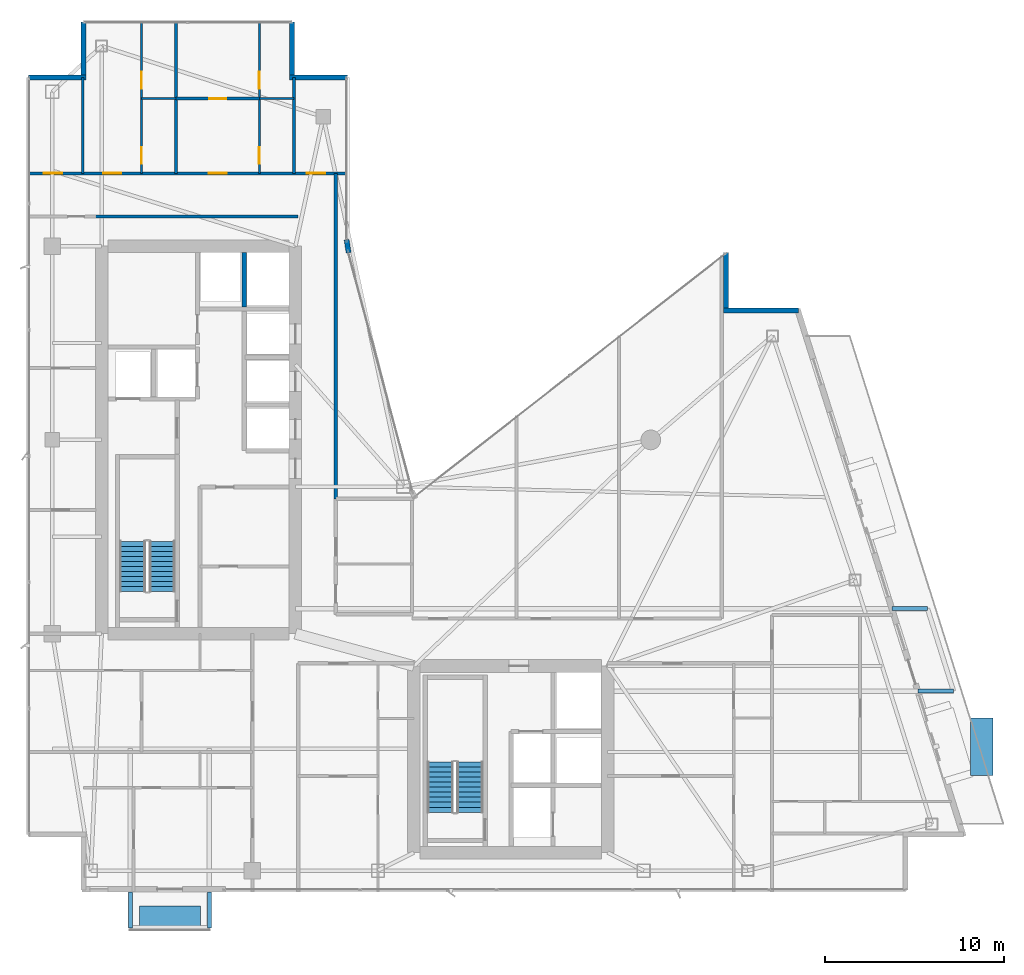
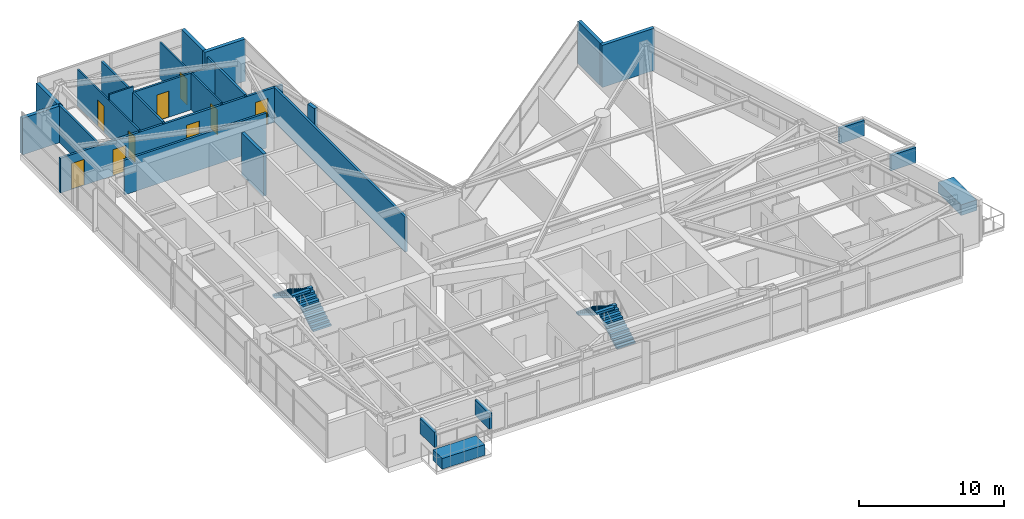
# One storey, part 26 of 29: 19 walls, 9 doors, 6 discrete accessories, 4 stair flights, 9 openings, 2 elements without a shape of their own.
"""IFC4 building model written with IfcOpenShell, lengths in metres."""

import ifcopenshell
import ifcopenshell.guid

model = None  # the IFC model being written
_history = None  # IfcOwnerHistory: only IFC2X3 demands one
_inside = {}  # id of a spatial element -> (the spatial element, [elements in it])
_under = {}  # id of a project, library or spatial element -> (it, [spatial elements below it])
_declared = {}  # id of a project -> (the project, [libraries it declares])
_typed = {}  # id of a type object -> (the type object, [elements of that type])
_made_of = {}  # id of a material, layer set ... -> (it, [elements and type objects made of it])


def new_model(schema):
    """Start an empty IFC model of exactly this schema.

    Asked for "IFC4X3", IfcOpenShell would pick the latest addendum, in which some entities
    have other attributes; the version numbers below select the first issue.
    IFC2X3 requires an IfcOwnerHistory on every rooted entity: one is made here for all.
    """
    global model, _history
    if schema == "IFC4X3":
        model = ifcopenshell.file(schema_version=(4, 3, 0, 0))
    else:
        model = ifcopenshell.file(schema=schema)
    _inside.clear()
    _under.clear()
    _declared.clear()
    _typed.clear()
    _made_of.clear()
    _history = None
    if model.schema == "IFC2X3":
        org = make("IfcOrganization", Name="unknown")
        user = make(
            "IfcPersonAndOrganization",
            ThePerson=make("IfcPerson", FamilyName="unknown"),
            TheOrganization=org,
        )
        app = make(
            "IfcApplication",
            ApplicationDeveloper=org,
            Version="unknown",
            ApplicationFullName="unknown",
            ApplicationIdentifier="unknown",
        )
        _history = make(
            "IfcOwnerHistory",
            OwningUser=user,
            OwningApplication=app,
            ChangeAction="ADDED",
            CreationDate=0,
        )
    return model


def make(cls, **values):
    """One entity of the class cls with the attributes given. An attribute that is None is left unset."""
    return model.create_entity(
        cls, **{name: value for name, value in values.items() if value is not None}
    )


def rooted(cls, **values):
    """An entity with a GlobalId (a new one), such as an element, a storey or a relation."""
    return make(cls, GlobalId=ifcopenshell.guid.new(), OwnerHistory=_history, **values)


def si_unit(unit_type, name, prefix=None):
    """IfcSIUnit, for example si_unit("LENGTHUNIT", "METRE", prefix="MILLI")."""
    return make("IfcSIUnit", UnitType=unit_type, Prefix=prefix, Name=name)


def assignment(units):
    """IfcUnitAssignment: the units of a project."""
    return None if units is None else make("IfcUnitAssignment", Units=units)


def point(xyz):
    """IfcCartesianPoint."""
    return None if xyz is None else make("IfcCartesianPoint", Coordinates=xyz)


def direction(xyz):
    """IfcDirection."""
    return None if xyz is None else make("IfcDirection", DirectionRatios=xyz)


def frame(location, z_axis=None, x_axis=None):
    """IfcAxis2Placement3D, a coordinate frame: its origin and axes. An axis left out is left unset."""
    return make(
        "IfcAxis2Placement3D",
        Location=point(location),
        Axis=direction(z_axis),
        RefDirection=direction(x_axis),
    )


def frame_2d(location, x_axis=None):
    """IfcAxis2Placement2D, a coordinate frame in the plane: its origin and x axis."""
    return make(
        "IfcAxis2Placement2D", Location=point(location), RefDirection=direction(x_axis)
    )


def origin():
    """The frame at (0, 0, 0) with its axes left unset."""
    return frame((0.0, 0.0, 0.0))


def origin_2d():
    """The frame at (0, 0) in the plane with its x axis left unset."""
    return frame_2d((0.0, 0.0))


def place(relative_to, where):
    """IfcLocalPlacement: puts the frame where relative to a parent placement (None: the world)."""
    return make(
        "IfcLocalPlacement", PlacementRelTo=relative_to, RelativePlacement=where
    )


def context(
    kind, dimensions, precision=None, world=None, true_north=None, identifier=None
):
    """IfcGeometricRepresentationContext, for example the 3D "Model" context."""
    return make(
        "IfcGeometricRepresentationContext",
        ContextIdentifier=identifier,
        ContextType=kind,
        CoordinateSpaceDimension=dimensions,
        Precision=precision,
        WorldCoordinateSystem=world,
        TrueNorth=true_north,
    )


def subcontext(parent, identifier, kind, view, scale=None):
    """IfcGeometricRepresentationSubContext, for example "Body" below "Model"."""
    return make(
        "IfcGeometricRepresentationSubContext",
        ContextIdentifier=identifier,
        ContextType=kind,
        ParentContext=parent,
        TargetScale=scale,
        TargetView=view,
    )


def project(units=None, contexts=None):
    """IfcProject with its units and contexts."""
    return rooted(
        "IfcProject",
        Name="project",
        RepresentationContexts=contexts,
        UnitsInContext=assignment(units),
    )


def spatial(cls, under=None, at=None, **own):
    """A site, building, storey or space (cls), placed at a placement, below another one or the project."""
    s = rooted(cls, ObjectPlacement=at, **own)
    if under is not None:
        _under.setdefault(under.id(), (under, []))[1].append(s)
    return s


def polyline(points):
    """IfcPolyline through the points."""
    return make("IfcPolyline", Points=[point(p) for p in points])


def profile(cls, at=None, kind="AREA", **sizes):
    """A parametric profile (cls). Its sizes go by their IFC names, for example OverallWidth=200.0."""
    return make(cls, ProfileType=kind, Position=at, **sizes)


def rectangle(**sizes):
    """IfcRectangleProfileDef."""
    return profile("IfcRectangleProfileDef", **sizes)


def outline(outer, holes=None, kind="AREA"):
    """IfcArbitraryClosedProfileDef: a profile drawn as a closed curve; with holes, ...WithVoids."""
    if holes is None:
        return make("IfcArbitraryClosedProfileDef", ProfileType=kind, OuterCurve=outer)
    return make(
        "IfcArbitraryProfileDefWithVoids",
        ProfileType=kind,
        OuterCurve=outer,
        InnerCurves=holes,
    )


def extrude(swept, where, along, depth):
    """IfcExtrudedAreaSolid: the profile swept, set in the frame where, extruded along a direction by depth."""
    return make(
        "IfcExtrudedAreaSolid",
        SweptArea=swept,
        Position=where,
        ExtrudedDirection=direction(along),
        Depth=depth,
    )


def shape(context_of_items, identifier, shape_type, items):
    """IfcShapeRepresentation: the items that make up one representation, for example the "Body"."""
    return make(
        "IfcShapeRepresentation",
        ContextOfItems=context_of_items,
        RepresentationIdentifier=identifier,
        RepresentationType=shape_type,
        Items=items,
    )


def material(Name=None, Category=None):
    """IfcMaterial."""
    return make("IfcMaterial", Name=Name, Category=Category)


def layer(
    of_material, thickness, ventilated=None, Name=None, Category=None, Priority=None
):
    """IfcMaterialLayer: one layer of a wall or slab, of a material (None: an air gap)."""
    return make(
        "IfcMaterialLayer",
        Material=of_material,
        LayerThickness=thickness,
        IsVentilated=ventilated,
        Name=Name,
        Category=Category,
        Priority=Priority,
    )


def layer_set(layers, Name=None):
    """IfcMaterialLayerSet."""
    return make("IfcMaterialLayerSet", MaterialLayers=layers, LayerSetName=Name)


def made_of(thing, what):
    """Note that an element or type object is made of a material, layer set ...; save() writes the relation."""
    if what is not None:
        _made_of.setdefault(what.id(), (what, []))[1].append(thing)
    return thing


def type_object(cls, material=None, **own):
    """A type object (cls), such as IfcWallType, which elements share."""
    return made_of(rooted(cls, **own), material)


def element(
    cls,
    number,
    at=None,
    inside=None,
    cuts=None,
    type_object=None,
    material=None,
    context=None,
    identifier="Body",
    shape_type=None,
    held_by="IfcProductDefinitionShape",
    body=None,
    shapes=None,
    **own,
):
    """One element of the class cls, such as IfcWall. Its Tag is "e" and its number.

    at: its placement. inside: the storey or other place that contains it. cuts: it is an
    opening in that element (IfcRelVoidsElement). A single representation is given by context,
    identifier, shape_type and body (its items); several are given by shapes. held_by: the class
    of the entity that holds the representations. save() writes the other relations.
    """
    e = rooted(cls, Tag="e%d" % number, ObjectPlacement=at, **own)
    if body is not None:
        shapes = [shape(context, identifier, shape_type, body)]
    if shapes is not None:
        e.Representation = make(held_by, Representations=shapes)
    if inside is not None:
        _inside.setdefault(inside.id(), (inside, []))[1].append(e)
    if cuts is not None:
        rooted(
            "IfcRelVoidsElement", RelatingBuildingElement=cuts, RelatedOpeningElement=e
        )
    if type_object is not None:
        _typed.setdefault(type_object.id(), (type_object, []))[1].append(e)
    return made_of(e, material)


def fill(opening, filler):
    """IfcRelFillsElement: the door or window that sits in an opening."""
    return rooted(
        "IfcRelFillsElement",
        RelatingOpeningElement=opening,
        RelatedBuildingElement=filler,
    )


def aggregate(whole, parts):
    """IfcRelAggregates: a whole, such as a stair, and the parts it consists of."""
    return rooted("IfcRelAggregates", RelatingObject=whole, RelatedObjects=parts)


def save(model, path):
    """Write the relations noted so far, then the file.

    IfcRelAggregates (storeys below a building ...), IfcRelContainedInSpatialStructure (elements
    in a storey), IfcRelDefinesByType, IfcRelAssociatesMaterial and IfcRelDeclares: one each for
    every whole, place, type object, material and project.
    """
    for whole, parts in _under.values():
        aggregate(whole, parts)
    for where, things in _inside.values():
        rooted(
            "IfcRelContainedInSpatialStructure",
            RelatedElements=things,
            RelatingStructure=where,
        )
    for kind, things in _typed.values():
        rooted("IfcRelDefinesByType", RelatedObjects=things, RelatingType=kind)
    for what, things in _made_of.values():
        rooted("IfcRelAssociatesMaterial", RelatedObjects=things, RelatingMaterial=what)
    for by, libraries in _declared.values():
        rooted("IfcRelDeclares", RelatingContext=by, RelatedDefinitions=libraries)
    model.write(path)


model = new_model("IFC4")

# Units and contexts
model_context = context("Model", 3, precision=1e-05, world=origin(), true_north=direction((0.0, 1.0)))
body_context = subcontext(model_context, "Body", "Model", "MODEL_VIEW")
ifc_project = project(units=[si_unit("LENGTHUNIT", "METRE"), si_unit("AREAUNIT", "SQUARE_METRE"), si_unit("VOLUMEUNIT", "CUBIC_METRE"), si_unit("PLANEANGLEUNIT", "RADIAN"), si_unit("MASSUNIT", "GRAM", prefix="KILO")], contexts=[model_context])

# Site, building, storey
site_placement = place(None, origin())
site = spatial("IfcSite", under=ifc_project, at=site_placement, CompositionType="ELEMENT")
building_placement = place(site_placement, origin())
building = spatial("IfcBuilding", under=site, at=building_placement, Name="Calvorn Quay Hotel", CompositionType="ELEMENT")
storey_placement = place(building_placement, frame((0.0, 0.0, 199.60009765625)))
storey = spatial("IfcBuildingStorey", under=building, at=storey_placement, Name="L49", CompositionType="ELEMENT", Elevation=199.60009765625)

# Wall, openings, doors
ifc_material_1 = material(Name="Acoustic Fireboard Steel-Stud Partition", Category="steel")
ifc_layer_1 = layer(ifc_material_1, 0.179931640625)
ifc_layer_set_1 = layer_set([ifc_layer_1], Name="WL-CORR-FIRE-180")
wall_type_1 = type_object("IfcWallType", Name="WL-CORR-FIRE-180", PredefinedType="PARTITIONING", material=ifc_layer_set_1)
wall_1_placement = place(storey_placement, frame((0.080078125, 42.449951171875, 0.0), z_axis=(0.0, 0.0, 1.0), x_axis=(1.0, 0.0, 0.0)))
wall_1 = element("IfcWall", 1, at=wall_1_placement, inside=storey, type_object=wall_type_1, Name="Partition Wall L49-WL-CORR-NW-N", PredefinedType="PARTITIONING", context=body_context, shape_type="SweptSolid", body=[
    extrude(rectangle(XDim=17.77001953125, YDim=0.179931640625, at=frame_2d((8.885009765625, 0.0))), origin(), (0.0, 0.0, 1.0), 2.93994140625),
])
opening_1_placement = place(wall_1_placement, frame((0.89990234375, 0.0, 0.0)))
opening_1 = element("IfcOpeningElement", 2, at=opening_1_placement, cuts=wall_1, Name="Opening D-L49-NWW", PredefinedType="OPENING", context=body_context, shape_type="SweptSolid", body=[
    extrude(rectangle(XDim=1.02001953125, YDim=2.199951171875, at=frame_2d((0.510009765625, 1.10009765625))), frame((0.0, 0.099853515625, 0.0), z_axis=(0.0, -1.0, 0.0), x_axis=(1.0, 0.0, 0.0)), (0.0, 0.0, 1.0), 0.199951171875),
])
opening_2_placement = place(wall_1_placement, frame((4.199951171875, 0.0, 0.0)))
opening_2 = element("IfcOpeningElement", 3, at=opening_2_placement, cuts=wall_1, Name="Opening D-L49-U04", PredefinedType="OPENING", context=body_context, shape_type="SweptSolid", body=[
    extrude(rectangle(XDim=1.02001953125, YDim=2.199951171875, at=frame_2d((0.510009765625, 1.10009765625))), frame((0.0, 0.099853515625, 0.0), z_axis=(0.0, -1.0, 0.0), x_axis=(1.0, 0.0, 0.0)), (0.0, 0.0, 1.0), 0.199951171875),
])
opening_3_placement = place(wall_1_placement, frame((10.080078125, 0.0, 0.0)))
opening_3 = element("IfcOpeningElement", 4, at=opening_3_placement, cuts=wall_1, Name="Opening D-L49-U05", PredefinedType="OPENING", context=body_context, shape_type="SweptSolid", body=[
    extrude(rectangle(XDim=1.02001953125, YDim=2.199951171875, at=frame_2d((0.510009765625, 1.10009765625))), frame((0.0, 0.099853515625, 0.0), z_axis=(0.0, -1.0, 0.0), x_axis=(1.0, 0.0, 0.0)), (0.0, 0.0, 1.0), 0.199951171875),
])
opening_4_placement = place(wall_1_placement, frame((15.550048828125, 0.0, 0.0)))
opening_4 = element("IfcOpeningElement", 5, at=opening_4_placement, cuts=wall_1, Name="Opening D-L49-NWE", PredefinedType="OPENING", context=body_context, shape_type="SweptSolid", body=[
    extrude(rectangle(XDim=1.02001953125, YDim=2.199951171875, at=frame_2d((0.510009765625, 1.10009765625))), frame((0.0, 0.099853515625, 0.0), z_axis=(0.0, -1.0, 0.0), x_axis=(1.0, 0.0, 0.0)), (0.0, 0.0, 1.0), 0.199951171875),
])
ifc_material_2 = material(Name="Solid-Core Walnut Veneer Hotel Fire Door")
door_type_1 = type_object("IfcDoorType", Name="DR-GUEST-ENTRY-1020", OperationType="NOTDEFINED", PredefinedType="DOOR", material=ifc_material_2)
door_1_placement = place(opening_1_placement, origin())
door_1 = element("IfcDoor", 6, at=door_1_placement, inside=storey, type_object=door_type_1, Name="West Corner Study Door (L49)", OperationType="SINGLE_SWING_LEFT", OverallHeight=2.199951171875, OverallWidth=1.02001953125, PredefinedType="DOOR", context=body_context, shape_type="SweptSolid", body=[
    extrude(rectangle(XDim=1.02001953125, YDim=2.199951171875, at=frame_2d((0.510009765625, 1.10009765625))), frame((0.0, 0.02490234375, 0.0), z_axis=(0.0, -1.0, 0.0), x_axis=(1.0, 0.0, 0.0)), (0.0, 0.0, 1.0), 0.050048828125),
])
fill(opening_1, door_1)
door_2_placement = place(opening_2_placement, origin())
door_2 = element("IfcDoor", 7, at=door_2_placement, inside=storey, type_object=door_type_1, Name="North-West Unit Door U04 (L49)", OperationType="SINGLE_SWING_RIGHT", OverallHeight=2.199951171875, OverallWidth=1.02001953125, PredefinedType="DOOR", context=body_context, shape_type="SweptSolid", body=[
    extrude(rectangle(XDim=1.02001953125, YDim=2.199951171875, at=frame_2d((0.510009765625, 1.10009765625))), frame((0.0, 0.02490234375, 0.0), z_axis=(0.0, -1.0, 0.0), x_axis=(1.0, 0.0, 0.0)), (0.0, 0.0, 1.0), 0.050048828125),
])
fill(opening_2, door_2)
door_3_placement = place(opening_3_placement, origin())
door_3 = element("IfcDoor", 8, at=door_3_placement, inside=storey, type_object=door_type_1, Name="North-West Unit Door U05 (L49)", OperationType="SINGLE_SWING_LEFT", OverallHeight=2.199951171875, OverallWidth=1.02001953125, PredefinedType="DOOR", context=body_context, shape_type="SweptSolid", body=[
    extrude(rectangle(XDim=1.02001953125, YDim=2.199951171875, at=frame_2d((0.510009765625, 1.10009765625))), frame((0.0, 0.02490234375, 0.0), z_axis=(0.0, -1.0, 0.0), x_axis=(1.0, 0.0, 0.0)), (0.0, 0.0, 1.0), 0.050048828125),
])
fill(opening_3, door_3)
door_4_placement = place(opening_4_placement, origin())
door_4 = element("IfcDoor", 9, at=door_4_placement, inside=storey, type_object=door_type_1, Name="Inner Court Study Door (L49)", OperationType="SINGLE_SWING_RIGHT", OverallHeight=2.199951171875, OverallWidth=1.02001953125, PredefinedType="DOOR", context=body_context, shape_type="SweptSolid", body=[
    extrude(rectangle(XDim=1.02001953125, YDim=2.199951171875, at=frame_2d((0.510009765625, 1.10009765625))), frame((0.0, 0.02490234375, 0.0), z_axis=(0.0, -1.0, 0.0), x_axis=(1.0, 0.0, 0.0)), (0.0, 0.0, 1.0), 0.050048828125),
])
fill(opening_4, door_4)

# Walls
wall_2_placement = place(storey_placement, frame((17.25, 24.300048828125, 0.0), z_axis=(0.0, 0.0, 1.0), x_axis=(0.0, 1.0, 0.0)))
element("IfcWall", 10, at=wall_2_placement, inside=storey, type_object=wall_type_1, Name="Partition Wall L49-WL-NW-CLOSURE-E", PredefinedType="PARTITIONING", context=body_context, shape_type="SweptSolid", body=[
    extrude(rectangle(XDim=18.14990234375, YDim=0.179931640625, at=frame_2d((9.074951171875, 0.0))), origin(), (0.0, 0.0, 1.0), 2.93994140625),
])
wall_3_placement = place(storey_placement, frame((3.830078125, 40.050048828125, 0.0), z_axis=(0.0, 0.0, 1.0), x_axis=(1.0, 0.0, 0.0)))
element("IfcWall", 11, at=wall_3_placement, inside=storey, type_object=wall_type_1, Name="Partition Wall L49-WL-W-SPUR-S", PredefinedType="PARTITIONING", context=body_context, shape_type="SweptSolid", body=[
    extrude(rectangle(XDim=11.31982421875, YDim=0.179931640625, at=frame_2d((5.659912109375, 0.0))), origin(), (0.0, 0.0, 1.0), 2.93994140625),
])
ifc_material_3 = material(Name="Moisture-Resistant Tile-Backed Partition")
ifc_layer_2 = layer(ifc_material_3, 0.125)
ifc_layer_set_2 = layer_set([ifc_layer_2], Name="WL-ENSUITE-125")
wall_type_2 = type_object("IfcWallType", Name="WL-ENSUITE-125", PredefinedType="PARTITIONING", material=ifc_layer_set_2)
wall_4_placement = place(storey_placement, frame((6.419921875, 46.6201171875, 0.0), z_axis=(0.0, 0.0, 1.0), x_axis=(1.0, 0.0, 0.0)))
element("IfcWall", 12, at=wall_4_placement, inside=storey, type_object=wall_type_2, Name="Partition Wall L49-WL-U04-BDV", PredefinedType="PARTITIONING", context=body_context, shape_type="SweptSolid", body=[
    extrude(rectangle(XDim=1.93017578125, YDim=0.125, at=frame_2d((0.965087890625, 0.0))), origin(), (0.0, 0.0, 1.0), 3.559814453125),
])

# Wall, openings, doors
wall_5_placement = place(storey_placement, frame((6.419921875, 42.449951171875, 0.0), z_axis=(0.0, 0.0, 1.0), x_axis=(0.0, 1.0, 0.0)))
wall_5 = element("IfcWall", 13, at=wall_5_placement, inside=storey, type_object=wall_type_2, Name="Partition Wall L49-WL-U04-BV", PredefinedType="PARTITIONING", context=body_context, shape_type="SweptSolid", body=[
    extrude(rectangle(XDim=8.489990234375, YDim=0.125, at=frame_2d((4.2451171875, 0.0))), origin(), (0.0, 0.0, 1.0), 3.08984375),
])
opening_5_placement = place(wall_5_placement, frame((0.550048828125, 0.0, 0.0)))
opening_5 = element("IfcOpeningElement", 14, at=opening_5_placement, cuts=wall_5, Name="Opening D-L49-E04", PredefinedType="OPENING", context=body_context, shape_type="SweptSolid", body=[
    extrude(rectangle(XDim=0.89990234375, YDim=2.14990234375, at=frame_2d((0.449951171875, 1.074951171875))), frame((0.0, 0.072509765625, 0.0), z_axis=(0.0, -1.0, 0.0), x_axis=(1.0, 0.0, 0.0)), (0.0, 0.0, 1.0), 0.14501953125),
])
opening_6_placement = place(wall_5_placement, frame((4.719970703125, 0.0, 0.0)))
opening_6 = element("IfcOpeningElement", 15, at=opening_6_placement, cuts=wall_5, Name="Opening D-L49-S04", PredefinedType="OPENING", context=body_context, shape_type="SweptSolid", body=[
    extrude(rectangle(XDim=0.9599609375, YDim=2.199951171875, at=frame_2d((0.47998046875, 1.10009765625))), frame((0.0, 0.072509765625, 0.0), z_axis=(0.0, -1.0, 0.0), x_axis=(1.0, 0.0, 0.0)), (0.0, 0.0, 1.0), 0.14501953125),
])
ifc_material_4 = material(Name="Moisture-Sealed Timber En-Suite Door", Category="wood")
door_type_2 = type_object("IfcDoorType", Name="DR-ENSUITE-900", OperationType="NOTDEFINED", PredefinedType="DOOR", material=ifc_material_4)
door_5_placement = place(opening_5_placement, origin())
door_5 = element("IfcDoor", 16, at=door_5_placement, inside=storey, type_object=door_type_2, Name="En-Suite Door 04", OperationType="SINGLE_SWING_LEFT", OverallHeight=2.14990234375, OverallWidth=0.89990234375, PredefinedType="DOOR", context=body_context, shape_type="SweptSolid", body=[
    extrude(rectangle(XDim=0.89990234375, YDim=2.14990234375, at=frame_2d((0.449951171875, 1.074951171875))), frame((0.0, 0.02490234375, 0.0), z_axis=(0.0, -1.0, 0.0), x_axis=(1.0, 0.0, 0.0)), (0.0, 0.0, 1.0), 0.050048828125),
])
fill(opening_5, door_5)
ifc_material_5 = material(Name="Solid Timber Internal Suite Door", Category="wood")
door_type_3 = type_object("IfcDoorType", Name="DR-SUITE-INT-960", OperationType="NOTDEFINED", PredefinedType="DOOR", material=ifc_material_5)
door_6_placement = place(opening_6_placement, origin())
door_6 = element("IfcDoor", 17, at=door_6_placement, inside=storey, type_object=door_type_3, Name="Executive Study Door 04", OperationType="SINGLE_SWING_RIGHT", OverallHeight=2.199951171875, OverallWidth=0.9599609375, PredefinedType="DOOR", context=body_context, shape_type="SweptSolid", body=[
    extrude(rectangle(XDim=0.9599609375, YDim=2.199951171875, at=frame_2d((0.47998046875, 1.10009765625))), frame((0.0, 0.02490234375, 0.0), z_axis=(0.0, -1.0, 0.0), x_axis=(1.0, 0.0, 0.0)), (0.0, 0.0, 1.0), 0.050048828125),
])
fill(opening_6, door_6)

# Wall
wall_6_placement = place(storey_placement, frame((12.989990234375, 46.6201171875, 0.0), z_axis=(0.0, 0.0, 1.0), x_axis=(1.0, 0.0, 0.0)))
element("IfcWall", 18, at=wall_6_placement, inside=storey, type_object=wall_type_2, Name="Partition Wall L49-WL-U05-BDV", PredefinedType="PARTITIONING", context=body_context, shape_type="SweptSolid", body=[
    extrude(rectangle(XDim=1.929931640625, YDim=0.125, at=frame_2d((0.96484375, 0.0))), origin(), (0.0, 0.0, 1.0), 3.08984375),
])

# Wall, openings, doors
wall_7_placement = place(storey_placement, frame((12.989990234375, 42.449951171875, 0.0), z_axis=(0.0, 0.0, 1.0), x_axis=(0.0, 1.0, 0.0)))
wall_7 = element("IfcWall", 19, at=wall_7_placement, inside=storey, type_object=wall_type_2, Name="Partition Wall L49-WL-U05-BV", PredefinedType="PARTITIONING", context=body_context, shape_type="SweptSolid", body=[
    extrude(rectangle(XDim=8.489990234375, YDim=0.125, at=frame_2d((4.2451171875, 0.0))), origin(), (0.0, 0.0, 1.0), 3.08984375),
])
opening_7_placement = place(wall_7_placement, frame((0.550048828125, 0.0, 0.0)))
opening_7 = element("IfcOpeningElement", 20, at=opening_7_placement, cuts=wall_7, Name="Opening D-L49-E05", PredefinedType="OPENING", context=body_context, shape_type="SweptSolid", body=[
    extrude(rectangle(XDim=0.89990234375, YDim=2.14990234375, at=frame_2d((0.449951171875, 1.074951171875))), frame((0.0, 0.072509765625, 0.0), z_axis=(0.0, -1.0, 0.0), x_axis=(1.0, 0.0, 0.0)), (0.0, 0.0, 1.0), 0.14501953125),
])
opening_8_placement = place(wall_7_placement, frame((4.719970703125, 0.0, 0.0)))
opening_8 = element("IfcOpeningElement", 21, at=opening_8_placement, cuts=wall_7, Name="Opening D-L49-S05", PredefinedType="OPENING", context=body_context, shape_type="SweptSolid", body=[
    extrude(rectangle(XDim=0.9599609375, YDim=2.199951171875, at=frame_2d((0.47998046875, 1.10009765625))), frame((0.0, 0.072509765625, 0.0), z_axis=(0.0, -1.0, 0.0), x_axis=(1.0, 0.0, 0.0)), (0.0, 0.0, 1.0), 0.14501953125),
])
door_7_placement = place(opening_7_placement, origin())
door_7 = element("IfcDoor", 22, at=door_7_placement, inside=storey, type_object=door_type_2, Name="En-Suite Door 05", OperationType="SINGLE_SWING_LEFT", OverallHeight=2.14990234375, OverallWidth=0.89990234375, PredefinedType="DOOR", context=body_context, shape_type="SweptSolid", body=[
    extrude(rectangle(XDim=0.89990234375, YDim=2.14990234375, at=frame_2d((0.449951171875, 1.074951171875))), frame((0.0, 0.02490234375, 0.0), z_axis=(0.0, -1.0, 0.0), x_axis=(1.0, 0.0, 0.0)), (0.0, 0.0, 1.0), 0.050048828125),
])
fill(opening_7, door_7)
door_8_placement = place(opening_8_placement, origin())
door_8 = element("IfcDoor", 23, at=door_8_placement, inside=storey, type_object=door_type_3, Name="Executive Study Door 05", OperationType="SINGLE_SWING_RIGHT", OverallHeight=2.199951171875, OverallWidth=0.9599609375, PredefinedType="DOOR", context=body_context, shape_type="SweptSolid", body=[
    extrude(rectangle(XDim=0.9599609375, YDim=2.199951171875, at=frame_2d((0.47998046875, 1.10009765625))), frame((0.0, 0.02490234375, 0.0), z_axis=(0.0, -1.0, 0.0), x_axis=(1.0, 0.0, 0.0)), (0.0, 0.0, 1.0), 0.050048828125),
])
fill(opening_8, door_8)

# Walls
ifc_material_6 = material(Name="Concrete C40", Category="concrete")
ifc_layer_3 = layer(ifc_material_6, 0.320068359375)
ifc_layer_set_3 = layer_set([ifc_layer_3], Name="WL-EXT-SPANDREL-320")
wall_type_3 = type_object("IfcWallType", Name="WL-EXT-SPANDREL-320", PredefinedType="SOLIDWALL", material=ifc_layer_set_3)
wall_8_placement = place(storey_placement, frame((17.9619140625, 38.030029296875, 0.0), z_axis=(0.0, 0.0, 1.0), x_axis=(-0.15141125477, 0.988470855377, 0.0)))
element("IfcWall", 24, at=wall_8_placement, inside=storey, type_object=wall_type_3, Name="Inner Court Corner Pier L49-ICJ2", PredefinedType="SOLIDWALL", context=body_context, shape_type="SweptSolid", body=[
    extrude(rectangle(XDim=0.738525390625, YDim=0.280029296875, at=frame_2d((0.369140625, 0.0))), origin(), (0.0, 0.0, 1.0), 3.559814453125),
])
wall_9_placement = place(storey_placement, frame((43.0400390625, 34.800048828125, 0.0), z_axis=(0.0, 0.0, 1.0), x_axis=(-1.0, 0.0, 0.0)))
element("IfcWall", 25, at=wall_9_placement, inside=storey, type_object=wall_type_3, Name="Notched Corner Spandrel L49-NE1", PredefinedType="SOLIDWALL", context=body_context, shape_type="SweptSolid", body=[
    extrude(rectangle(XDim=4.179931640625, YDim=0.280029296875, at=frame_2d((2.08984375, 0.0))), origin(), (0.0, 0.0, 1.0), 3.559814453125),
])
wall_10_placement = place(storey_placement, frame((39.0, 34.93994140625, 0.0), z_axis=(0.0, 0.0, 1.0), x_axis=(0.0, 1.0, 0.0)))
element("IfcWall", 26, at=wall_10_placement, inside=storey, type_object=wall_type_3, Name="Notched Corner Spandrel L49-NE2", PredefinedType="SOLIDWALL", context=body_context, shape_type="SweptSolid", body=[
    extrude(rectangle(XDim=3.10009765625, YDim=0.280029296875, at=frame_2d((1.550048828125, 0.0))), origin(), (0.0, 0.0, 1.0), 3.559814453125),
])
wall_11_placement = place(storey_placement, frame((17.89990234375, 47.800048828125, 0.0), z_axis=(0.0, 0.0, 1.0), x_axis=(-1.0, 0.0, 0.0)))
element("IfcWall", 27, at=wall_11_placement, inside=storey, type_object=wall_type_3, Name="Notched Corner Spandrel L49-NWE1", PredefinedType="SOLIDWALL", context=body_context, shape_type="SweptSolid", body=[
    extrude(rectangle(XDim=3.239990234375, YDim=0.280029296875, at=frame_2d((1.6201171875, 0.0))), origin(), (0.0, 0.0, 1.0), 3.559814453125),
])
wall_12_placement = place(storey_placement, frame((14.800048828125, 47.93994140625, 0.0), z_axis=(0.0, 0.0, 1.0), x_axis=(0.0, 1.0, 0.0)))
element("IfcWall", 28, at=wall_12_placement, inside=storey, type_object=wall_type_3, Name="Notched Corner Spandrel L49-NWE2", PredefinedType="SOLIDWALL", context=body_context, shape_type="SweptSolid", body=[
    extrude(rectangle(XDim=2.93994140625, YDim=0.280029296875, at=frame_2d((1.469970703125, 0.0))), origin(), (0.0, 0.0, 1.0), 3.559814453125),
])
wall_13_placement = place(storey_placement, frame((3.199951171875, 50.8798828125, 0.0), z_axis=(0.0, 0.0, 1.0), x_axis=(0.0, -1.0, 0.0)))
element("IfcWall", 29, at=wall_13_placement, inside=storey, type_object=wall_type_3, Name="Notched Corner Spandrel L49-NW1", PredefinedType="SOLIDWALL", context=body_context, shape_type="SweptSolid", body=[
    extrude(rectangle(XDim=2.93994140625, YDim=0.280029296875, at=frame_2d((1.469970703125, 0.0))), origin(), (0.0, 0.0, 1.0), 3.08984375),
])
wall_14_placement = place(storey_placement, frame((3.340087890625, 47.800048828125, 0.0), z_axis=(0.0, 0.0, 1.0), x_axis=(-1.0, 0.0, 0.0)))
element("IfcWall", 30, at=wall_14_placement, inside=storey, type_object=wall_type_3, Name="Notched Corner Spandrel L49-NW2", PredefinedType="SOLIDWALL", context=body_context, shape_type="SweptSolid", body=[
    extrude(rectangle(XDim=3.219970703125, YDim=0.280029296875, at=frame_2d((1.60986328125, 0.0))), origin(), (0.0, 0.0, 1.0), 3.08984375),
])
ifc_material_7 = material(Name="Double-Stud Acoustic Gypsum Partition")
ifc_layer_4 = layer(ifc_material_7, 0.159912109375)
ifc_layer_set_4 = layer_set([ifc_layer_4], Name="WL-INTERSUITE-160")
wall_type_4 = type_object("IfcWallType", Name="WL-INTERSUITE-160", PredefinedType="PARTITIONING", material=ifc_layer_set_4)
wall_15_placement = place(storey_placement, frame((3.14990234375, 42.449951171875, 0.0), z_axis=(0.0, 0.0, 1.0), x_axis=(0.0, 1.0, 0.0)))
element("IfcWall", 31, at=wall_15_placement, inside=storey, type_object=wall_type_4, Name="Partition Wall L49-WL-NW-DIV-W0", PredefinedType="PARTITIONING", context=body_context, shape_type="SweptSolid", body=[
    extrude(rectangle(XDim=5.35009765625, YDim=0.159912109375, at=frame_2d((2.675048828125, 0.0))), origin(), (0.0, 0.0, 1.0), 3.139892578125),
])
wall_16_placement = place(storey_placement, frame((14.919921875, 42.449951171875, 0.0), z_axis=(0.0, 0.0, 1.0), x_axis=(0.0, 1.0, 0.0)))
element("IfcWall", 32, at=wall_16_placement, inside=storey, type_object=wall_type_4, Name="Partition Wall L49-WL-NW-DIV-E0", PredefinedType="PARTITIONING", context=body_context, shape_type="SweptSolid", body=[
    extrude(rectangle(XDim=5.35009765625, YDim=0.159912109375, at=frame_2d((2.675048828125, 0.0))), origin(), (0.0, 0.0, 1.0), 3.08984375),
])

# Wall, opening, door
wall_17_placement = place(storey_placement, frame((8.35009765625, 46.6201171875, 0.0), z_axis=(0.0, 0.0, 1.0), x_axis=(1.0, 0.0, 0.0)))
wall_17 = element("IfcWall", 33, at=wall_17_placement, inside=storey, type_object=wall_type_4, Name="Partition Wall L49-WL-U05-MSP", PredefinedType="PARTITIONING", context=body_context, shape_type="SweptSolid", body=[
    extrude(rectangle(XDim=4.639892578125, YDim=0.159912109375, at=frame_2d((2.31982421875, 0.0))), origin(), (0.0, 0.0, 1.0), 3.08984375),
])
opening_9_placement = place(wall_17_placement, frame((1.840087890625, 0.0, 0.0)))
opening_9 = element("IfcOpeningElement", 34, at=opening_9_placement, cuts=wall_17, Name="Opening D-L49-M05", PredefinedType="OPENING", context=body_context, shape_type="SweptSolid", body=[
    extrude(rectangle(XDim=0.9599609375, YDim=2.199951171875, at=frame_2d((0.47998046875, 1.10009765625))), frame((0.0, 0.08984375, 0.0), z_axis=(0.0, -1.0, 0.0), x_axis=(1.0, 0.0, 0.0)), (0.0, 0.0, 1.0), 0.179931640625),
])
door_9_placement = place(opening_9_placement, origin())
door_9 = element("IfcDoor", 35, at=door_9_placement, inside=storey, type_object=door_type_3, Name="Suite Bedroom Door 05", OperationType="SINGLE_SWING_LEFT", OverallHeight=2.199951171875, OverallWidth=0.9599609375, PredefinedType="DOOR", context=body_context, shape_type="SweptSolid", body=[
    extrude(rectangle(XDim=0.9599609375, YDim=2.199951171875, at=frame_2d((0.47998046875, 1.10009765625))), frame((0.0, 0.02490234375, 0.0), z_axis=(0.0, -1.0, 0.0), x_axis=(1.0, 0.0, 0.0)), (0.0, 0.0, 1.0), 0.050048828125),
])
fill(opening_9, door_9)

# Walls
wall_18_placement = place(storey_placement, frame((8.35009765625, 42.449951171875, 0.0), z_axis=(0.0, 0.0, 1.0), x_axis=(0.0, 1.0, 0.0)))
element("IfcWall", 36, at=wall_18_placement, inside=storey, type_object=wall_type_4, Name="Partition Wall L49-WL-NW-DIV-1", PredefinedType="PARTITIONING", context=body_context, shape_type="SweptSolid", body=[
    extrude(rectangle(XDim=8.489990234375, YDim=0.159912109375, at=frame_2d((4.2451171875, 0.0))), origin(), (0.0, 0.0, 1.0), 3.08984375),
])
ifc_material_8 = material(Name="Concrete C40", Category="concrete")
ifc_layer_5 = layer(ifc_material_8, 0.239990234375)
ifc_layer_set_5 = layer_set([ifc_layer_5], Name="WL-SHAFT-240")
wall_type_5 = type_object("IfcWallType", Name="WL-SHAFT-240", PredefinedType="SOLIDWALL", material=ifc_layer_set_5)
wall_19_placement = place(storey_placement, frame((12.14990234375, 35.02001953125, 0.0), z_axis=(0.0, 0.0, 1.0), x_axis=(0.0, 1.0, 0.0)))
element("IfcWall", 37, at=wall_19_placement, inside=storey, type_object=wall_type_5, Name="Partition Wall L49-WL-CWW-PLH-DIV", PredefinedType="SOLIDWALL", context=body_context, shape_type="SweptSolid", body=[
    extrude(rectangle(XDim=3.010009765625, YDim=0.239990234375, at=frame_2d((1.5048828125, 0.0))), origin(), (0.0, 0.0, 1.0), 3.559814453125),
])

# Stair, stair flights
ifc_material_9 = material(Name="Concrete C40", Category="concrete")
stair_type = type_object("IfcStairType", Name="STR-CORE-DOGLEG", PredefinedType="HALF_TURN_STAIR", material=ifc_material_9)
stair_1_placement = place(storey_placement, origin())
stair_1 = element("IfcStair", 38, at=stair_1_placement, inside=storey, type_object=stair_type, Name="L49 ST-W", PredefinedType="HALF_TURN_STAIR")
ifc_material_10 = material(Name="Concrete C40", Category="concrete")
stair_flight_type = type_object("IfcStairFlightType", Name="FLT-CORE-1550", PredefinedType="STRAIGHT", material=ifc_material_10)
stair_flight_1_placement = place(storey_placement, frame((7.574951171875, 19.14990234375, 0.0), z_axis=(0.0, 0.0, 1.0), x_axis=(0.0, 1.0, 0.0)))
stair_flight_1 = element("IfcStairFlight", 39, at=stair_flight_1_placement, type_object=stair_flight_type, Name="ST-W flight 1", NumberOfRisers=11, NumberOfTreads=10, PredefinedType="STRAIGHT", RiserHeight=0.172727273, TreadLength=0.28, context=body_context, shape_type="SweptSolid", body=[
    extrude(outline(polyline([(0.0, 0.0), (0.0, 0.172607421875), (0.280029296875, 0.172607421875), (0.280029296875, 0.345458984375), (0.56005859375, 0.345458984375), (0.56005859375, 0.51806640625), (0.840087890625, 0.51806640625), (0.840087890625, 0.69091796875), (1.1201171875, 0.69091796875), (1.1201171875, 0.863525390625), (1.39990234375, 0.863525390625), (1.39990234375, 1.036376953125), (1.679931640625, 1.036376953125), (1.679931640625, 1.208984375), (1.9599609375, 1.208984375), (1.9599609375, 1.3818359375), (2.239990234375, 1.3818359375), (2.239990234375, 1.554443359375), (2.52001953125, 1.554443359375), (2.52001953125, 1.727294921875), (2.800048828125, 1.727294921875), (2.800048828125, 1.89990234375), (2.800048828125, 1.551025390625), (0.285400390625, 0.0), (0.0, 0.0)])), frame((0.0, 0.72509765625, 0.0), z_axis=(0.0, -1.0, 0.0), x_axis=(1.0, 0.0, 0.0)), (0.0, 0.0, 1.0), 1.449951171875),
])
stair_flight_2_placement = place(storey_placement, frame((5.925048828125, 21.949951171875, 1.89990234375), z_axis=(0.0, 0.0, 1.0), x_axis=(0.0, -1.0, 0.0)))
stair_flight_2 = element("IfcStairFlight", 40, at=stair_flight_2_placement, type_object=stair_flight_type, Name="ST-W flight 2", NumberOfRisers=11, NumberOfTreads=10, PredefinedType="STRAIGHT", RiserHeight=0.172727273, TreadLength=0.28, context=body_context, shape_type="SweptSolid", body=[
    extrude(outline(polyline([(0.0, 0.0), (0.0, 0.172607421875), (0.280029296875, 0.172607421875), (0.280029296875, 0.345458984375), (0.56005859375, 0.345458984375), (0.56005859375, 0.51806640625), (0.840087890625, 0.51806640625), (0.840087890625, 0.69091796875), (1.1201171875, 0.69091796875), (1.1201171875, 0.863525390625), (1.39990234375, 0.863525390625), (1.39990234375, 1.036376953125), (1.679931640625, 1.036376953125), (1.679931640625, 1.208984375), (1.9599609375, 1.208984375), (1.9599609375, 1.3818359375), (2.239990234375, 1.3818359375), (2.239990234375, 1.554443359375), (2.52001953125, 1.554443359375), (2.52001953125, 1.727294921875), (2.800048828125, 1.727294921875), (2.800048828125, 1.89990234375), (2.800048828125, 1.551025390625), (0.285400390625, 0.0), (0.0, 0.0)])), frame((0.0, 0.72509765625, 0.0), z_axis=(0.0, -1.0, 0.0), x_axis=(1.0, 0.0, 0.0)), (0.0, 0.0, 1.0), 1.449951171875),
])
aggregate(stair_1, [stair_flight_1, stair_flight_2])

stair_2_placement = place(storey_placement, origin())
stair_2 = element("IfcStair", 41, at=stair_2_placement, inside=storey, type_object=stair_type, Name="L49 ST-E", PredefinedType="HALF_TURN_STAIR")
stair_flight_3_placement = place(storey_placement, frame((24.72509765625, 6.85009765625, 0.0), z_axis=(0.0, 0.0, 1.0), x_axis=(0.0, 1.0, 0.0)))
stair_flight_3 = element("IfcStairFlight", 42, at=stair_flight_3_placement, type_object=stair_flight_type, Name="ST-E flight 1", NumberOfRisers=11, NumberOfTreads=10, PredefinedType="STRAIGHT", RiserHeight=0.172727273, TreadLength=0.28, context=body_context, shape_type="SweptSolid", body=[
    extrude(outline(polyline([(0.0, 0.0), (0.0, 0.172607421875), (0.280029296875, 0.172607421875), (0.280029296875, 0.345458984375), (0.56005859375, 0.345458984375), (0.56005859375, 0.51806640625), (0.840087890625, 0.51806640625), (0.840087890625, 0.69091796875), (1.1201171875, 0.69091796875), (1.1201171875, 0.863525390625), (1.39990234375, 0.863525390625), (1.39990234375, 1.036376953125), (1.679931640625, 1.036376953125), (1.679931640625, 1.208984375), (1.9599609375, 1.208984375), (1.9599609375, 1.3818359375), (2.239990234375, 1.3818359375), (2.239990234375, 1.554443359375), (2.52001953125, 1.554443359375), (2.52001953125, 1.727294921875), (2.800048828125, 1.727294921875), (2.800048828125, 1.89990234375), (2.800048828125, 1.551025390625), (0.285400390625, 0.0), (0.0, 0.0)])), frame((0.0, 0.72509765625, 0.0), z_axis=(0.0, -1.0, 0.0), x_axis=(1.0, 0.0, 0.0)), (0.0, 0.0, 1.0), 1.449951171875),
])
stair_flight_4_placement = place(storey_placement, frame((23.074951171875, 9.64990234375, 1.89990234375), z_axis=(0.0, 0.0, 1.0), x_axis=(0.0, -1.0, 0.0)))
stair_flight_4 = element("IfcStairFlight", 43, at=stair_flight_4_placement, type_object=stair_flight_type, Name="ST-E flight 2", NumberOfRisers=11, NumberOfTreads=10, PredefinedType="STRAIGHT", RiserHeight=0.172727273, TreadLength=0.28, context=body_context, shape_type="SweptSolid", body=[
    extrude(outline(polyline([(0.0, 0.0), (0.0, 0.172607421875), (0.280029296875, 0.172607421875), (0.280029296875, 0.345458984375), (0.56005859375, 0.345458984375), (0.56005859375, 0.51806640625), (0.840087890625, 0.51806640625), (0.840087890625, 0.69091796875), (1.1201171875, 0.69091796875), (1.1201171875, 0.863525390625), (1.39990234375, 0.863525390625), (1.39990234375, 1.036376953125), (1.679931640625, 1.036376953125), (1.679931640625, 1.208984375), (1.9599609375, 1.208984375), (1.9599609375, 1.3818359375), (2.239990234375, 1.3818359375), (2.239990234375, 1.554443359375), (2.52001953125, 1.554443359375), (2.52001953125, 1.727294921875), (2.800048828125, 1.727294921875), (2.800048828125, 1.89990234375), (2.800048828125, 1.551025390625), (0.285400390625, 0.0), (0.0, 0.0)])), frame((0.0, 0.72509765625, 0.0), z_axis=(0.0, -1.0, 0.0), x_axis=(1.0, 0.0, 0.0)), (0.0, 0.0, 1.0), 1.449951171875),
])
aggregate(stair_2, [stair_flight_3, stair_flight_4])

# Discrete accessories
ifc_material_11 = material(Name="Steel Q355B", Category="steel")
discrete_accessory_type_1 = type_object("IfcDiscreteAccessoryType", Name="ACC-BALC-STRUT", PredefinedType="BRACKET", material=ifc_material_11)
for number, where, z_axis, x_axis, name in (
    (44, (50.674072265625, 13.60009765625, 2.0146484375), (0.0, 0.0, 1.0), (1.0, 0.0, 0.0), "Exterior Balcony Steel Bracket L50-BALC-E-A"),
    (45, (49.22509765625, 18.199951171875, 2.0146484375), (0.0, 0.0, 1.0), (1.0, 0.0, 0.0), "Exterior Balcony Steel Bracket L50-BALC-E-B"),
):
    element("IfcDiscreteAccessory", number, at=place(storey_placement, frame(where, z_axis=z_axis, x_axis=x_axis)), inside=storey, type_object=discrete_accessory_type_1, Name=name, PredefinedType="BRACKET", context=body_context, shape_type="SweptSolid", body=[
        extrude(rectangle(XDim=1.989990234375, YDim=0.219970703125, at=origin_2d()), origin(), (0.0, 0.0, 1.0), 1.300048828125),
    ])
for number, where, z_axis, x_axis, name in (
    (46, (5.800048828125, 1.405029296875, 2.0146484375), (0.0, 0.0, 1.0), (1.0, 0.0, 0.0), "Exterior Balcony Steel Bracket L50-BALC-S-A"),
    (47, (10.199951171875, 1.405029296875, 2.0146484375), (0.0, 0.0, 1.0), (1.0, 0.0, 0.0), "Exterior Balcony Steel Bracket L50-BALC-S-B"),
):
    element("IfcDiscreteAccessory", number, at=place(storey_placement, frame(where, z_axis=z_axis, x_axis=x_axis)), inside=storey, type_object=discrete_accessory_type_1, Name=name, PredefinedType="BRACKET", context=body_context, shape_type="SweptSolid", body=[
        extrude(rectangle(XDim=0.219970703125, YDim=1.989990234375, at=origin_2d()), origin(), (0.0, 0.0, 1.0), 1.300048828125),
    ])
ifc_material_12 = material(Name="Precast concrete C40", Category="concrete")
discrete_accessory_type_2 = type_object("IfcDiscreteAccessoryType", Name="ACC-TREE-PLANTER", PredefinedType="USERDEFINED", material=ifc_material_12)
discrete_accessory_1_placement = place(storey_placement, frame((8.0, 0.989990234375, 0.0), z_axis=(0.0, 0.0, 1.0), x_axis=(1.0, 0.0, 0.0)))
element("IfcDiscreteAccessory", 48, at=discrete_accessory_1_placement, inside=storey, type_object=discrete_accessory_type_2, Name="Subtropical Tree Structural Planter L49-BALC-S", ObjectType="PLANTER", PredefinedType="USERDEFINED", context=body_context, shape_type="SweptSolid", body=[
    extrude(rectangle(XDim=3.39990234375, YDim=1.25, at=origin_2d()), origin(), (0.0, 0.0, 1.0), 0.89990234375),
])
discrete_accessory_2_placement = place(storey_placement, frame((53.24609375, 10.5, 0.0), z_axis=(0.0, 0.0, 1.0), x_axis=(1.0, 0.0, 0.0)))
element("IfcDiscreteAccessory", 49, at=discrete_accessory_2_placement, inside=storey, type_object=discrete_accessory_type_2, Name="Sawtooth Terrace Tree Planter (L49)", ObjectType="PLANTER", PredefinedType="USERDEFINED", context=body_context, shape_type="SweptSolid", body=[
    extrude(rectangle(XDim=1.25, YDim=3.199951171875, at=origin_2d()), origin(), (0.0, 0.0, 1.0), 0.89990234375),
])

save(model, "model.ifc")
